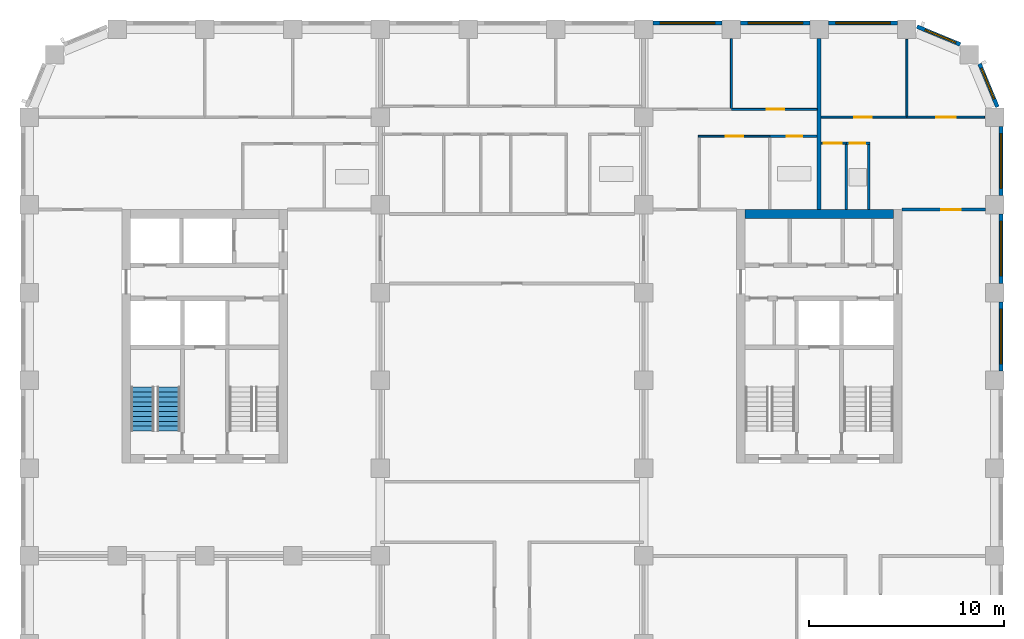
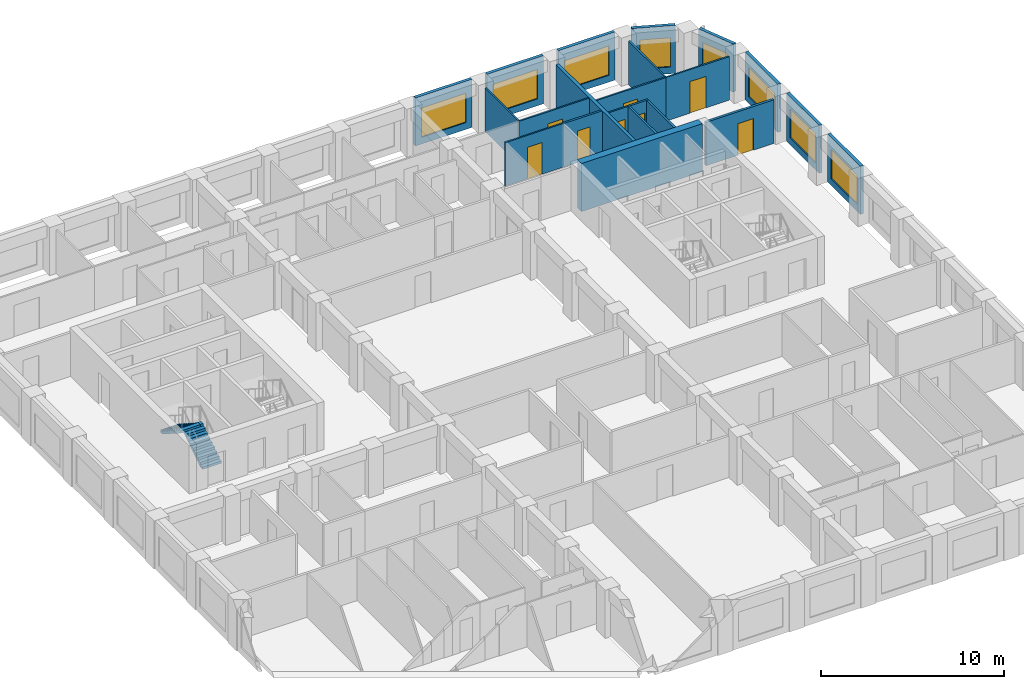
# One storey, part 9 of 13: 22 walls, 8 doors, 8 windows, 2 stair flights, 16 openings, 1 element without a shape of its own.
"""IFC4 building model written with IfcOpenShell, lengths in metres."""

from ifc_helpers import new_model, si_unit, direction, frame, frame_2d, origin, place, context, subcontext, project, spatial, polyline, rectangle, outline, extrude, material, layer, layer_set, type_object, element, fill, aggregate, save


model = new_model("IFC4")

# Units and contexts
model_context = context("Model", 3, precision=1e-05, world=origin(), true_north=direction((0.0, 1.0)))
body_context = subcontext(model_context, "Body", "Model", "MODEL_VIEW")
ifc_project = project(units=[si_unit("LENGTHUNIT", "METRE"), si_unit("AREAUNIT", "SQUARE_METRE"), si_unit("VOLUMEUNIT", "CUBIC_METRE"), si_unit("PLANEANGLEUNIT", "RADIAN"), si_unit("MASSUNIT", "GRAM", prefix="KILO")], contexts=[model_context])

# Site, building, storey
site_placement = place(None, origin())
site = spatial("IfcSite", under=ifc_project, at=site_placement, CompositionType="ELEMENT")
building_placement = place(site_placement, origin())
building = spatial("IfcBuilding", under=site, at=building_placement, Name="Girih Gate Residences", CompositionType="ELEMENT")
storey_placement = place(building_placement, frame((0.0, 0.0, 136.60009765625)))
storey = spatial("IfcBuildingStorey", under=building, at=storey_placement, Name="L38", CompositionType="ELEMENT", Elevation=136.60009765625)

# Wall, opening, door
ifc_material_1 = material(Name="Gypsum board on steel studs", Category="steel")
ifc_layer_1 = layer(ifc_material_1, 0.14990234375)
ifc_layer_set_1 = layer_set([ifc_layer_1], Name="Compartment wall 150 mm")
wall_type_1 = type_object("IfcWallType", Name="Compartment wall 150 mm", PredefinedType="PARTITIONING", material=ifc_layer_set_1)
wall_1_placement = place(storey_placement, frame((44.75, 40.25, 0.0), z_axis=(0.0, 0.0, 1.0), x_axis=(1.0, 0.0, 0.0)))
wall_1 = element("IfcWall", 1, at=wall_1_placement, inside=storey, type_object=wall_type_1, Name="L38 partition", PredefinedType="PARTITIONING", context=body_context, shape_type="SweptSolid", body=[
    extrude(rectangle(XDim=4.27490234375, YDim=0.14990234375, at=frame_2d((2.137451171875, 0.0))), origin(), (0.0, 0.0, 1.0), 2.89990234375),
])
opening_1_placement = place(wall_1_placement, frame((2.0, 0.0, 0.0)))
opening_1 = element("IfcOpeningElement", 2, at=opening_1_placement, cuts=wall_1, Name="Opening A38-031", PredefinedType="OPENING", context=body_context, shape_type="SweptSolid", body=[
    extrude(rectangle(XDim=1.0, YDim=2.10009765625, at=frame_2d((0.5, 1.050048828125))), frame((0.0, 0.0849609375, 0.0), z_axis=(0.0, -1.0, 0.0), x_axis=(1.0, 0.0, 0.0)), (0.0, 0.0, 1.0), 0.169921875),
])
ifc_material_2 = material(Name="Timber, fire-rated core", Category="wood")
door_type_1 = type_object("IfcDoorType", Name="Flat entrance door 1000x2100 FD30S", OperationType="NOTDEFINED", PredefinedType="DOOR", material=ifc_material_2)
door_1_placement = place(opening_1_placement, origin())
door_1 = element("IfcDoor", 3, at=door_1_placement, inside=storey, type_object=door_type_1, Name="Door A38-031", OperationType="SINGLE_SWING_RIGHT", OverallHeight=2.10009765625, OverallWidth=1.0, PredefinedType="DOOR", context=body_context, shape_type="SweptSolid", body=[
    extrude(rectangle(XDim=1.0, YDim=2.10009765625, at=frame_2d((0.5, 1.050048828125))), frame((0.0, 0.02490234375, 0.0), z_axis=(0.0, -1.0, 0.0), x_axis=(1.0, 0.0, 0.0)), (0.0, 0.0, 1.0), 0.050048828125),
])
fill(opening_1, door_1)

# Wall
ifc_material_3 = material(Name="Concrete C60/75", Category="concrete")
ifc_layer_2 = layer(ifc_material_3, 0.449951171875)
ifc_layer_set_2 = layer_set([ifc_layer_2], Name="Core wall RC 450 Concrete C60/75")
wall_type_2 = type_object("IfcWallType", Name="Core wall RC 450 Concrete C60/75", PredefinedType="SOLIDWALL", material=ifc_layer_set_2)
wall_2_placement = place(storey_placement, frame((36.699951171875, 40.02490234375, 0.0), z_axis=(0.0, 0.0, 1.0), x_axis=(1.0, 0.0, 0.0)))
element("IfcWall", 4, at=wall_2_placement, inside=storey, type_object=wall_type_2, Name="Core wall E-N L38", PredefinedType="SOLIDWALL", context=body_context, shape_type="SweptSolid", body=[
    extrude(rectangle(XDim=7.60009765625, YDim=0.449951171875, at=frame_2d((3.800048828125, 0.0))), origin(), (0.0, 0.0, 1.0), 3.199951171875),
])

# Wall, opening, door
ifc_layer_3 = layer(ifc_material_1, 0.10009765625)
ifc_layer_set_3 = layer_set([ifc_layer_3], Name="Partition 100 mm")
wall_type_3 = type_object("IfcWallType", Name="Partition 100 mm", PredefinedType="PARTITIONING", material=ifc_layer_set_3)
wall_3_placement = place(storey_placement, frame((40.60009765625, 45.0, 0.0), z_axis=(0.0, 0.0, 1.0), x_axis=(1.0, 0.0, 0.0)))
wall_3 = element("IfcWall", 5, at=wall_3_placement, inside=storey, type_object=wall_type_3, Name="L38 partition", PredefinedType="PARTITIONING", context=body_context, shape_type="SweptSolid", body=[
    extrude(rectangle(XDim=4.39990234375, YDim=0.10009765625, at=frame_2d((2.199951171875, 0.0))), origin(), (0.0, 0.0, 1.0), 2.89990234375),
])
opening_2_placement = place(wall_3_placement, frame((1.699951171875, 0.0, 0.0)))
opening_2 = element("IfcOpeningElement", 6, at=opening_2_placement, cuts=wall_3, Name="Opening A38-028", PredefinedType="OPENING", context=body_context, shape_type="SweptSolid", body=[
    extrude(rectangle(XDim=0.89990234375, YDim=2.10009765625, at=frame_2d((0.449951171875, 1.050048828125))), frame((0.0, 0.06005859375, 0.0), z_axis=(0.0, -1.0, 0.0), x_axis=(1.0, 0.0, 0.0)), (0.0, 0.0, 1.0), 0.1201171875),
])
ifc_material_4 = material(Name="Timber", Category="wood")
door_type_2 = type_object("IfcDoorType", Name="Bedroom door 900x2100", OperationType="NOTDEFINED", PredefinedType="DOOR", material=ifc_material_4)
door_2_placement = place(opening_2_placement, origin())
door_2 = element("IfcDoor", 7, at=door_2_placement, inside=storey, type_object=door_type_2, Name="Door A38-028", OperationType="SINGLE_SWING_LEFT", OverallHeight=2.10009765625, OverallWidth=0.89990234375, PredefinedType="DOOR", context=body_context, shape_type="SweptSolid", body=[
    extrude(rectangle(XDim=0.89990234375, YDim=2.10009765625, at=frame_2d((0.449951171875, 1.050048828125))), frame((0.0, 0.02490234375, 0.0), z_axis=(0.0, -1.0, 0.0), x_axis=(1.0, 0.0, 0.0)), (0.0, 0.0, 1.0), 0.050048828125),
])
fill(opening_2, door_2)

# Wall
wall_4_placement = place(storey_placement, frame((45.0, 45.050048828125, 0.0), z_axis=(0.0, 0.0, 1.0), x_axis=(0.0, 1.0, 0.0)))
element("IfcWall", 8, at=wall_4_placement, inside=storey, type_object=wall_type_3, Name="L38 partition", PredefinedType="PARTITIONING", context=body_context, shape_type="SweptSolid", body=[
    extrude(rectangle(XDim=3.935791015625, YDim=0.10009765625, at=frame_2d((1.9677734375, 0.0))), origin(), (0.0, 0.0, 1.0), 2.89990234375),
])

# Wall, opening, door
wall_5_placement = place(storey_placement, frame((41.890869140625, 43.659912109375, 0.0), z_axis=(0.0, 0.0, 1.0), x_axis=(-1.0, 0.0, 0.0)))
wall_5 = element("IfcWall", 9, at=wall_5_placement, inside=storey, type_object=wall_type_3, Name="L38 partition", PredefinedType="PARTITIONING", context=body_context, shape_type="SweptSolid", body=[
    extrude(rectangle(XDim=1.290771484375, YDim=0.10009765625, at=frame_2d((0.6455078125, 0.0))), origin(), (0.0, 0.0, 1.0), 2.89990234375),
])
opening_3_placement = place(wall_5_placement, frame((0.24560546875, 0.0, 0.0)))
opening_3 = element("IfcOpeningElement", 10, at=opening_3_placement, cuts=wall_5, Name="Opening A38-029", PredefinedType="OPENING", context=body_context, shape_type="SweptSolid", body=[
    extrude(rectangle(XDim=0.89990234375, YDim=2.10009765625, at=frame_2d((0.449951171875, 1.050048828125))), frame((0.0, 0.06005859375, 0.0), z_axis=(0.0, -1.0, 0.0), x_axis=(1.0, 0.0, 0.0)), (0.0, 0.0, 1.0), 0.1201171875),
])
door_type_3 = type_object("IfcDoorType", Name="Kitchen door 900x2100", OperationType="NOTDEFINED", PredefinedType="DOOR", material=ifc_material_4)
door_3_placement = place(opening_3_placement, origin())
door_3 = element("IfcDoor", 11, at=door_3_placement, inside=storey, type_object=door_type_3, Name="Door A38-029", OperationType="SINGLE_SWING_RIGHT", OverallHeight=2.10009765625, OverallWidth=0.89990234375, PredefinedType="DOOR", context=body_context, shape_type="SweptSolid", body=[
    extrude(rectangle(XDim=0.89990234375, YDim=2.10009765625, at=frame_2d((0.449951171875, 1.050048828125))), frame((0.0, 0.02490234375, 0.0), z_axis=(0.0, -1.0, 0.0), x_axis=(1.0, 0.0, 0.0)), (0.0, 0.0, 1.0), 0.050048828125),
])
fill(opening_3, door_3)

wall_6_placement = place(storey_placement, frame((45.0, 45.0, 0.0), z_axis=(0.0, 0.0, 1.0), x_axis=(1.0, 0.0, 0.0)))
wall_6 = element("IfcWall", 12, at=wall_6_placement, inside=storey, type_object=wall_type_3, Name="L38 partition", PredefinedType="PARTITIONING", context=body_context, shape_type="SweptSolid", body=[
    extrude(rectangle(XDim=3.98583984375, YDim=0.10009765625, at=frame_2d((1.992919921875, 0.0))), origin(), (0.0, 0.0, 1.0), 2.89990234375),
])
opening_4_placement = place(wall_6_placement, frame((1.512451171875, 0.0, 0.0)))
opening_4 = element("IfcOpeningElement", 13, at=opening_4_placement, cuts=wall_6, Name="Opening A38-030", PredefinedType="OPENING", context=body_context, shape_type="SweptSolid", body=[
    extrude(rectangle(XDim=1.0, YDim=2.10009765625, at=frame_2d((0.5, 1.050048828125))), frame((0.0, 0.06005859375, 0.0), z_axis=(0.0, -1.0, 0.0), x_axis=(1.0, 0.0, 0.0)), (0.0, 0.0, 1.0), 0.1201171875),
])
door_type_4 = type_object("IfcDoorType", Name="Living room door 1000x2100", OperationType="NOTDEFINED", PredefinedType="DOOR", material=ifc_material_4)
door_4_placement = place(opening_4_placement, origin())
door_4 = element("IfcDoor", 14, at=door_4_placement, inside=storey, type_object=door_type_4, Name="Door A38-030", OperationType="SINGLE_SWING_RIGHT", OverallHeight=2.10009765625, OverallWidth=1.0, PredefinedType="DOOR", context=body_context, shape_type="SweptSolid", body=[
    extrude(rectangle(XDim=1.0, YDim=2.10009765625, at=frame_2d((0.5, 1.050048828125))), frame((0.0, 0.02490234375, 0.0), z_axis=(0.0, -1.0, 0.0), x_axis=(1.0, 0.0, 0.0)), (0.0, 0.0, 1.0), 0.050048828125),
])
fill(opening_4, door_4)

wall_7_placement = place(storey_placement, frame((36.0, 45.39501953125, 0.0), z_axis=(0.0, 0.0, 1.0), x_axis=(1.0, 0.0, 0.0)))
wall_7 = element("IfcWall", 15, at=wall_7_placement, inside=storey, type_object=wall_type_3, Name="L38 partition", PredefinedType="PARTITIONING", context=body_context, shape_type="SweptSolid", body=[
    extrude(rectangle(XDim=4.39990234375, YDim=0.10009765625, at=frame_2d((2.199951171875, 0.0))), origin(), (0.0, 0.0, 1.0), 2.89990234375),
])
opening_5_placement = place(wall_7_placement, frame((1.800048828125, 0.0, 0.0)))
opening_5 = element("IfcOpeningElement", 16, at=opening_5_placement, cuts=wall_7, Name="Opening A38-033", PredefinedType="OPENING", context=body_context, shape_type="SweptSolid", body=[
    extrude(rectangle(XDim=0.89990234375, YDim=2.10009765625, at=frame_2d((0.449951171875, 1.050048828125))), frame((0.0, 0.06005859375, 0.0), z_axis=(0.0, -1.0, 0.0), x_axis=(1.0, 0.0, 0.0)), (0.0, 0.0, 1.0), 0.1201171875),
])
door_5_placement = place(opening_5_placement, origin())
door_5 = element("IfcDoor", 17, at=door_5_placement, inside=storey, type_object=door_type_2, Name="Door A38-033", OperationType="SINGLE_SWING_RIGHT", OverallHeight=2.10009765625, OverallWidth=0.89990234375, PredefinedType="DOOR", context=body_context, shape_type="SweptSolid", body=[
    extrude(rectangle(XDim=0.89990234375, YDim=2.10009765625, at=frame_2d((0.449951171875, 1.050048828125))), frame((0.0, 0.02490234375, 0.0), z_axis=(0.0, -1.0, 0.0), x_axis=(1.0, 0.0, 0.0)), (0.0, 0.0, 1.0), 0.050048828125),
])
fill(opening_5, door_5)

# Wall
wall_8_placement = place(storey_placement, frame((36.0, 45.445068359375, 0.0), z_axis=(0.0, 0.0, 1.0), x_axis=(0.0, 1.0, 0.0)))
element("IfcWall", 18, at=wall_8_placement, inside=storey, type_object=wall_type_3, Name="L38 partition", PredefinedType="PARTITIONING", context=body_context, shape_type="SweptSolid", body=[
    extrude(rectangle(XDim=3.579833984375, YDim=0.10009765625, at=frame_2d((1.7900390625, 0.0))), origin(), (0.0, 0.0, 1.0), 2.89990234375),
])

# Wall, opening, door
wall_9_placement = place(storey_placement, frame((37.97265625, 44.014892578125, 0.0), z_axis=(0.0, 0.0, 1.0), x_axis=(-1.0, 0.0, 0.0)))
wall_9 = element("IfcWall", 19, at=wall_9_placement, inside=storey, type_object=wall_type_3, Name="L38 partition", PredefinedType="PARTITIONING", context=body_context, shape_type="SweptSolid", body=[
    extrude(rectangle(XDim=3.672607421875, YDim=0.10009765625, at=frame_2d((1.83642578125, 0.0))), origin(), (0.0, 0.0, 1.0), 2.89990234375),
])
opening_6_placement = place(wall_9_placement, frame((1.361328125, 0.0, 0.0)))
opening_6 = element("IfcOpeningElement", 20, at=opening_6_placement, cuts=wall_9, Name="Opening A38-034", PredefinedType="OPENING", context=body_context, shape_type="SweptSolid", body=[
    extrude(rectangle(XDim=0.89990234375, YDim=2.10009765625, at=frame_2d((0.449951171875, 1.050048828125))), frame((0.0, 0.06005859375, 0.0), z_axis=(0.0, -1.0, 0.0), x_axis=(1.0, 0.0, 0.0)), (0.0, 0.0, 1.0), 0.1201171875),
])
door_6_placement = place(opening_6_placement, origin())
door_6 = element("IfcDoor", 21, at=door_6_placement, inside=storey, type_object=door_type_3, Name="Door A38-034", OperationType="SINGLE_SWING_LEFT", OverallHeight=2.10009765625, OverallWidth=0.89990234375, PredefinedType="DOOR", context=body_context, shape_type="SweptSolid", body=[
    extrude(rectangle(XDim=0.89990234375, YDim=2.10009765625, at=frame_2d((0.449951171875, 1.050048828125))), frame((0.0, 0.02490234375, 0.0), z_axis=(0.0, -1.0, 0.0), x_axis=(1.0, 0.0, 0.0)), (0.0, 0.0, 1.0), 0.050048828125),
])
fill(opening_6, door_6)

# Wall
ifc_layer_4 = layer(ifc_material_1, 0.199951171875)
ifc_layer_set_4 = layer_set([ifc_layer_4], Name="Party wall 200 mm")
wall_type_4 = type_object("IfcWallType", Name="Party wall 200 mm", PredefinedType="PARTITIONING", material=ifc_layer_set_4)
wall_10_placement = place(storey_placement, frame((40.5, 40.25, 0.0), z_axis=(0.0, 0.0, 1.0), x_axis=(0.0, 1.0, 0.0)))
element("IfcWall", 22, at=wall_10_placement, inside=storey, type_object=wall_type_4, Name="L38 partition", PredefinedType="PARTITIONING", context=body_context, shape_type="SweptSolid", body=[
    extrude(rectangle(XDim=8.77490234375, YDim=0.199951171875, at=frame_2d((4.387451171875, 0.0))), origin(), (0.0, 0.0, 1.0), 2.89990234375),
])

# Wall, opening, window
ifc_material_5 = material(Name="Precast concrete C50/60", Category="concrete")
ifc_layer_5 = layer(ifc_material_5, 0.06005859375, Name="Outer leaf")
ifc_material_6 = material(Name="Rigid PIR insulation")
ifc_layer_6 = layer(ifc_material_6, 0.090087890625, Name="Insulation")
ifc_material_7 = material(Name="Precast concrete C40/50", Category="concrete")
ifc_layer_7 = layer(ifc_material_7, 0.050048828125, Name="Inner leaf")
ifc_layer_set_5 = layer_set([ifc_layer_5, ifc_layer_6, ifc_layer_7], Name="Precast concrete C50/60 external wall 200")
wall_type_5 = type_object("IfcWallType", Name="Precast concrete C50/60 external wall 200", PredefinedType="SOLIDWALL", material=ifc_layer_set_5)
wall_11_placement = place(storey_placement, frame((49.824951171875, 35.52490234375, 0.0), z_axis=(0.0, 0.0, 1.0), x_axis=(0.0, -1.0, 0.0)))
wall_11 = element("IfcWall", 23, at=wall_11_placement, inside=storey, type_object=wall_type_5, Name="External wall E0495_0045.6", PredefinedType="SOLIDWALL", context=body_context, shape_type="SweptSolid", body=[
    extrude(rectangle(XDim=3.5498046875, YDim=0.199951171875, at=frame_2d((1.77490234375, 0.0))), origin(), (0.0, 0.0, 1.0), 3.199951171875),
])
opening_7_placement = place(wall_11_placement, frame((0.375, 0.0, 0.449951171875)))
opening_7 = element("IfcOpeningElement", 24, at=opening_7_placement, cuts=wall_11, Name="Opening W-1B", PredefinedType="OPENING", context=body_context, shape_type="SweptSolid", body=[
    extrude(rectangle(XDim=2.800048828125, YDim=1.949951171875, at=frame_2d((1.39990234375, 0.97509765625))), frame((0.0, 0.10986328125, 0.0), z_axis=(0.0, -1.0, 0.0), x_axis=(1.0, 0.0, 0.0)), (0.0, 0.0, 1.0), 0.219970703125),
])
ifc_material_8 = material(Name="Double glazing in aluminium frame", Category="aluminium")
window_type_1 = type_object("IfcWindowType", Name="Window W-1B 2800x1950", PartitioningType="SINGLE_PANEL", PredefinedType="WINDOW", material=ifc_material_8)
window_1_placement = place(opening_7_placement, origin())
window_1 = element("IfcWindow", 25, at=window_1_placement, inside=storey, type_object=window_type_1, Name="Window W-1B E0495_0045.6", OverallHeight=1.949951171875, OverallWidth=2.800048828125, PartitioningType="SINGLE_PANEL", PredefinedType="WINDOW", context=body_context, shape_type="SweptSolid", body=[
    extrude(rectangle(XDim=2.800048828125, YDim=1.949951171875, at=frame_2d((1.39990234375, 0.97509765625))), frame((0.0, 0.030029296875, 0.0), z_axis=(0.0, -1.0, 0.0), x_axis=(1.0, 0.0, 0.0)), (0.0, 0.0, 1.0), 0.06005859375),
])
fill(opening_7, window_1)

wall_12_placement = place(storey_placement, frame((49.824951171875, 40.02490234375, 0.0), z_axis=(0.0, 0.0, 1.0), x_axis=(0.0, -1.0, 0.0)))
wall_12 = element("IfcWall", 26, at=wall_12_placement, inside=storey, type_object=wall_type_5, Name="External wall E0495_0045.7", PredefinedType="SOLIDWALL", context=body_context, shape_type="SweptSolid", body=[
    extrude(rectangle(XDim=3.5498046875, YDim=0.199951171875, at=frame_2d((1.77490234375, 0.0))), origin(), (0.0, 0.0, 1.0), 3.199951171875),
])
opening_8_placement = place(wall_12_placement, frame((0.375, 0.0, 0.449951171875)))
opening_8 = element("IfcOpeningElement", 27, at=opening_8_placement, cuts=wall_12, Name="Opening W-1B", PredefinedType="OPENING", context=body_context, shape_type="SweptSolid", body=[
    extrude(rectangle(XDim=2.800048828125, YDim=1.949951171875, at=frame_2d((1.39990234375, 0.97509765625))), frame((0.0, 0.10986328125, 0.0), z_axis=(0.0, -1.0, 0.0), x_axis=(1.0, 0.0, 0.0)), (0.0, 0.0, 1.0), 0.219970703125),
])
window_2_placement = place(opening_8_placement, origin())
window_2 = element("IfcWindow", 28, at=window_2_placement, inside=storey, type_object=window_type_1, Name="Window W-1B E0495_0045.7", OverallHeight=1.949951171875, OverallWidth=2.800048828125, PartitioningType="SINGLE_PANEL", PredefinedType="WINDOW", context=body_context, shape_type="SweptSolid", body=[
    extrude(rectangle(XDim=2.800048828125, YDim=1.949951171875, at=frame_2d((1.39990234375, 0.97509765625))), frame((0.0, 0.030029296875, 0.0), z_axis=(0.0, -1.0, 0.0), x_axis=(1.0, 0.0, 0.0)), (0.0, 0.0, 1.0), 0.06005859375),
])
fill(opening_8, window_2)

wall_13_placement = place(storey_placement, frame((49.824951171875, 44.52490234375, 0.0), z_axis=(0.0, 0.0, 1.0), x_axis=(0.0, -1.0, 0.0)))
wall_13 = element("IfcWall", 29, at=wall_13_placement, inside=storey, type_object=wall_type_5, Name="External wall E0495_0045.8", PredefinedType="SOLIDWALL", context=body_context, shape_type="SweptSolid", body=[
    extrude(rectangle(XDim=3.5498046875, YDim=0.199951171875, at=frame_2d((1.77490234375, 0.0))), origin(), (0.0, 0.0, 1.0), 3.199951171875),
])
opening_9_placement = place(wall_13_placement, frame((0.375, 0.0, 0.449951171875)))
opening_9 = element("IfcOpeningElement", 30, at=opening_9_placement, cuts=wall_13, Name="Opening W-1B", PredefinedType="OPENING", context=body_context, shape_type="SweptSolid", body=[
    extrude(rectangle(XDim=2.800048828125, YDim=1.949951171875, at=frame_2d((1.39990234375, 0.97509765625))), frame((0.0, 0.10986328125, 0.0), z_axis=(0.0, -1.0, 0.0), x_axis=(1.0, 0.0, 0.0)), (0.0, 0.0, 1.0), 0.219970703125),
])
window_3_placement = place(opening_9_placement, origin())
window_3 = element("IfcWindow", 31, at=window_3_placement, inside=storey, type_object=window_type_1, Name="Window W-1B E0495_0045.8", OverallHeight=1.949951171875, OverallWidth=2.800048828125, PartitioningType="SINGLE_PANEL", PredefinedType="WINDOW", context=body_context, shape_type="SweptSolid", body=[
    extrude(rectangle(XDim=2.800048828125, YDim=1.949951171875, at=frame_2d((1.39990234375, 0.97509765625))), frame((0.0, 0.030029296875, 0.0), z_axis=(0.0, -1.0, 0.0), x_axis=(1.0, 0.0, 0.0)), (0.0, 0.0, 1.0), 0.06005859375),
])
fill(opening_9, window_3)

wall_14_placement = place(storey_placement, frame((48.7197265625, 47.73291015625, 0.0), z_axis=(0.0, 0.0, 1.0), x_axis=(0.382680855588, -0.923880599843, 0.0)))
wall_14 = element("IfcWall", 32, at=wall_14_placement, inside=storey, type_object=wall_type_5, Name="External wall NE0495_0450.0", PredefinedType="SOLIDWALL", context=body_context, shape_type="SweptSolid", body=[
    extrude(rectangle(XDim=2.402587890625, YDim=0.199951171875, at=frame_2d((1.201171875, 0.0))), origin(), (0.0, 0.0, 1.0), 3.199951171875),
])
opening_10_placement = place(wall_14_placement, frame((0.25146484375, 0.0, 0.449951171875)))
opening_10 = element("IfcOpeningElement", 33, at=opening_10_placement, cuts=wall_14, Name="Opening W-2E", PredefinedType="OPENING", context=body_context, shape_type="SweptSolid", body=[
    extrude(rectangle(XDim=1.699951171875, YDim=1.949951171875, at=frame_2d((0.85009765625, 0.97509765625))), frame((0.0, 0.10986328125, 0.0), z_axis=(0.0, -1.0, 0.0), x_axis=(1.0, 0.0, 0.0)), (0.0, 0.0, 1.0), 0.219970703125),
])
window_type_2 = type_object("IfcWindowType", Name="Window W-2E 1700x1950", PartitioningType="SINGLE_PANEL", PredefinedType="WINDOW", material=ifc_material_8)
window_4_placement = place(opening_10_placement, origin())
window_4 = element("IfcWindow", 34, at=window_4_placement, inside=storey, type_object=window_type_2, Name="Window W-2E NE0495_0450.0", OverallHeight=1.949951171875, OverallWidth=1.699951171875, PartitioningType="SINGLE_PANEL", PredefinedType="WINDOW", context=body_context, shape_type="SweptSolid", body=[
    extrude(rectangle(XDim=1.699951171875, YDim=1.949951171875, at=frame_2d((0.85009765625, 0.97509765625))), frame((0.0, 0.030029296875, 0.0), z_axis=(0.0, -1.0, 0.0), x_axis=(1.0, 0.0, 0.0)), (0.0, 0.0, 1.0), 0.06005859375),
])
fill(opening_10, window_4)

wall_15_placement = place(storey_placement, frame((45.51318359375, 49.63916015625, 0.0), z_axis=(0.0, 0.0, 1.0), x_axis=(0.923880599843, -0.382680855588, 0.0)))
wall_15 = element("IfcWall", 35, at=wall_15_placement, inside=storey, type_object=wall_type_5, Name="External wall NE0482_0482.0", PredefinedType="SOLIDWALL", context=body_context, shape_type="SweptSolid", body=[
    extrude(rectangle(XDim=2.402587890625, YDim=0.199951171875, at=frame_2d((1.201171875, 0.0))), origin(), (0.0, 0.0, 1.0), 3.199951171875),
])
opening_11_placement = place(wall_15_placement, frame((0.451171875, 0.0, 0.449951171875)))
opening_11 = element("IfcOpeningElement", 36, at=opening_11_placement, cuts=wall_15, Name="Opening W-2E", PredefinedType="OPENING", context=body_context, shape_type="SweptSolid", body=[
    extrude(rectangle(XDim=1.699951171875, YDim=1.949951171875, at=frame_2d((0.85009765625, 0.97509765625))), frame((0.0, 0.10986328125, 0.0), z_axis=(0.0, -1.0, 0.0), x_axis=(1.0, 0.0, 0.0)), (0.0, 0.0, 1.0), 0.219970703125),
])
window_5_placement = place(opening_11_placement, origin())
window_5 = element("IfcWindow", 37, at=window_5_placement, inside=storey, type_object=window_type_2, Name="Window W-2E NE0482_0482.0", OverallHeight=1.949951171875, OverallWidth=1.699951171875, PartitioningType="SINGLE_PANEL", PredefinedType="WINDOW", context=body_context, shape_type="SweptSolid", body=[
    extrude(rectangle(XDim=1.699951171875, YDim=1.949951171875, at=frame_2d((0.85009765625, 0.97509765625))), frame((0.0, 0.030029296875, 0.0), z_axis=(0.0, -1.0, 0.0), x_axis=(1.0, 0.0, 0.0)), (0.0, 0.0, 1.0), 0.06005859375),
])
fill(opening_11, window_5)

wall_16_placement = place(storey_placement, frame((40.97509765625, 49.824951171875, 0.0), z_axis=(0.0, 0.0, 1.0), x_axis=(1.0, 0.0, 0.0)))
wall_16 = element("IfcWall", 38, at=wall_16_placement, inside=storey, type_object=wall_type_5, Name="External wall N0450_0495.0", PredefinedType="SOLIDWALL", context=body_context, shape_type="SweptSolid", body=[
    extrude(rectangle(XDim=3.5498046875, YDim=0.199951171875, at=frame_2d((1.77490234375, 0.0))), origin(), (0.0, 0.0, 1.0), 3.199951171875),
])
opening_12_placement = place(wall_16_placement, frame((0.375, 0.0, 0.449951171875)))
opening_12 = element("IfcOpeningElement", 39, at=opening_12_placement, cuts=wall_16, Name="Opening W-1B", PredefinedType="OPENING", context=body_context, shape_type="SweptSolid", body=[
    extrude(rectangle(XDim=2.800048828125, YDim=1.949951171875, at=frame_2d((1.39990234375, 0.97509765625))), frame((0.0, 0.10986328125, 0.0), z_axis=(0.0, -1.0, 0.0), x_axis=(1.0, 0.0, 0.0)), (0.0, 0.0, 1.0), 0.219970703125),
])
window_6_placement = place(opening_12_placement, origin())
window_6 = element("IfcWindow", 40, at=window_6_placement, inside=storey, type_object=window_type_1, Name="Window W-1B N0450_0495.0", OverallHeight=1.949951171875, OverallWidth=2.800048828125, PartitioningType="SINGLE_PANEL", PredefinedType="WINDOW", context=body_context, shape_type="SweptSolid", body=[
    extrude(rectangle(XDim=2.800048828125, YDim=1.949951171875, at=frame_2d((1.39990234375, 0.97509765625))), frame((0.0, 0.030029296875, 0.0), z_axis=(0.0, -1.0, 0.0), x_axis=(1.0, 0.0, 0.0)), (0.0, 0.0, 1.0), 0.06005859375),
])
fill(opening_12, window_6)

wall_17_placement = place(storey_placement, frame((36.47509765625, 49.824951171875, 0.0), z_axis=(0.0, 0.0, 1.0), x_axis=(1.0, 0.0, 0.0)))
wall_17 = element("IfcWall", 41, at=wall_17_placement, inside=storey, type_object=wall_type_5, Name="External wall N0450_0495.1", PredefinedType="SOLIDWALL", context=body_context, shape_type="SweptSolid", body=[
    extrude(rectangle(XDim=3.5498046875, YDim=0.199951171875, at=frame_2d((1.77490234375, 0.0))), origin(), (0.0, 0.0, 1.0), 3.199951171875),
])
opening_13_placement = place(wall_17_placement, frame((0.375, 0.0, 0.449951171875)))
opening_13 = element("IfcOpeningElement", 42, at=opening_13_placement, cuts=wall_17, Name="Opening W-1B", PredefinedType="OPENING", context=body_context, shape_type="SweptSolid", body=[
    extrude(rectangle(XDim=2.800048828125, YDim=1.949951171875, at=frame_2d((1.39990234375, 0.97509765625))), frame((0.0, 0.10986328125, 0.0), z_axis=(0.0, -1.0, 0.0), x_axis=(1.0, 0.0, 0.0)), (0.0, 0.0, 1.0), 0.219970703125),
])
window_7_placement = place(opening_13_placement, origin())
window_7 = element("IfcWindow", 43, at=window_7_placement, inside=storey, type_object=window_type_1, Name="Window W-1B N0450_0495.1", OverallHeight=1.949951171875, OverallWidth=2.800048828125, PartitioningType="SINGLE_PANEL", PredefinedType="WINDOW", context=body_context, shape_type="SweptSolid", body=[
    extrude(rectangle(XDim=2.800048828125, YDim=1.949951171875, at=frame_2d((1.39990234375, 0.97509765625))), frame((0.0, 0.030029296875, 0.0), z_axis=(0.0, -1.0, 0.0), x_axis=(1.0, 0.0, 0.0)), (0.0, 0.0, 1.0), 0.06005859375),
])
fill(opening_13, window_7)

wall_18_placement = place(storey_placement, frame((31.97509765625, 49.824951171875, 0.0), z_axis=(0.0, 0.0, 1.0), x_axis=(1.0, 0.0, 0.0)))
wall_18 = element("IfcWall", 44, at=wall_18_placement, inside=storey, type_object=wall_type_5, Name="External wall N0450_0495.2", PredefinedType="SOLIDWALL", context=body_context, shape_type="SweptSolid", body=[
    extrude(rectangle(XDim=3.5498046875, YDim=0.199951171875, at=frame_2d((1.77490234375, 0.0))), origin(), (0.0, 0.0, 1.0), 3.199951171875),
])
opening_14_placement = place(wall_18_placement, frame((0.375, 0.0, 0.449951171875)))
opening_14 = element("IfcOpeningElement", 45, at=opening_14_placement, cuts=wall_18, Name="Opening W-1B", PredefinedType="OPENING", context=body_context, shape_type="SweptSolid", body=[
    extrude(rectangle(XDim=2.800048828125, YDim=1.949951171875, at=frame_2d((1.39990234375, 0.97509765625))), frame((0.0, 0.10986328125, 0.0), z_axis=(0.0, -1.0, 0.0), x_axis=(1.0, 0.0, 0.0)), (0.0, 0.0, 1.0), 0.219970703125),
])
window_8_placement = place(opening_14_placement, origin())
window_8 = element("IfcWindow", 46, at=window_8_placement, inside=storey, type_object=window_type_1, Name="Window W-1B N0450_0495.2", OverallHeight=1.949951171875, OverallWidth=2.800048828125, PartitioningType="SINGLE_PANEL", PredefinedType="WINDOW", context=body_context, shape_type="SweptSolid", body=[
    extrude(rectangle(XDim=2.800048828125, YDim=1.949951171875, at=frame_2d((1.39990234375, 0.97509765625))), frame((0.0, 0.030029296875, 0.0), z_axis=(0.0, -1.0, 0.0), x_axis=(1.0, 0.0, 0.0)), (0.0, 0.0, 1.0), 0.06005859375),
])
fill(opening_14, window_8)

# Wall, opening, door
ifc_layer_8 = layer(ifc_material_1, 0.125)
ifc_layer_set_6 = layer_set([ifc_layer_8], Name="Wet room wall 125 mm")
wall_type_6 = type_object("IfcWallType", Name="Wet room wall 125 mm", PredefinedType="PARTITIONING", material=ifc_layer_set_6)
wall_19_placement = place(storey_placement, frame((43.112548828125, 43.659912109375, 0.0), z_axis=(0.0, 0.0, 1.0), x_axis=(-1.0, 0.0, 0.0)))
wall_19 = element("IfcWall", 47, at=wall_19_placement, inside=storey, type_object=wall_type_6, Name="L38 partition", PredefinedType="PARTITIONING", context=body_context, shape_type="SweptSolid", body=[
    extrude(rectangle(XDim=1.2216796875, YDim=0.125, at=frame_2d((0.61083984375, 0.0))), origin(), (0.0, 0.0, 1.0), 2.89990234375),
])
opening_15_placement = place(wall_19_placement, frame((0.241943359375, 0.0, 0.0)))
opening_15 = element("IfcOpeningElement", 48, at=opening_15_placement, cuts=wall_19, Name="Opening A38-027", PredefinedType="OPENING", context=body_context, shape_type="SweptSolid", body=[
    extrude(rectangle(XDim=0.800048828125, YDim=2.10009765625, at=frame_2d((0.39990234375, 1.050048828125))), frame((0.0, 0.072509765625, 0.0), z_axis=(0.0, -1.0, 0.0), x_axis=(1.0, 0.0, 0.0)), (0.0, 0.0, 1.0), 0.14501953125),
])
door_type_5 = type_object("IfcDoorType", Name="Bathroom door 800x2100", OperationType="NOTDEFINED", PredefinedType="DOOR", material=ifc_material_4)
door_7_placement = place(opening_15_placement, origin())
door_7 = element("IfcDoor", 49, at=door_7_placement, inside=storey, type_object=door_type_5, Name="Door A38-027", OperationType="SINGLE_SWING_RIGHT", OverallHeight=2.10009765625, OverallWidth=0.800048828125, PredefinedType="DOOR", context=body_context, shape_type="SweptSolid", body=[
    extrude(rectangle(XDim=0.800048828125, YDim=2.10009765625, at=frame_2d((0.39990234375, 1.050048828125))), frame((0.0, 0.02490234375, 0.0), z_axis=(0.0, -1.0, 0.0), x_axis=(1.0, 0.0, 0.0)), (0.0, 0.0, 1.0), 0.050048828125),
])
fill(opening_15, door_7)

# Walls
for number, where, z_axis, x_axis, name in (
    (50, (43.050048828125, 40.25, 0.0), (0.0, 0.0, 1.0), (0.0, 1.0, 0.0), "L38 partition"),
    (51, (41.89111328125, 40.25, 0.0), (0.0, 0.0, 1.0), (0.0, 1.0, 0.0), "L38 partition"),
):
    element("IfcWall", number, at=place(storey_placement, frame(where, z_axis=z_axis, x_axis=x_axis)), inside=storey, type_object=wall_type_6, Name=name, PredefinedType="PARTITIONING", context=body_context, shape_type="SweptSolid", body=[
        extrude(rectangle(XDim=3.347412109375, YDim=0.125, at=frame_2d((1.673828125, 0.0))), origin(), (0.0, 0.0, 1.0), 2.89990234375),
    ])

# Wall, opening, door
wall_20_placement = place(storey_placement, frame((40.39990234375, 44.014892578125, 0.0), z_axis=(0.0, 0.0, 1.0), x_axis=(-1.0, 0.0, 0.0)))
wall_20 = element("IfcWall", 52, at=wall_20_placement, inside=storey, type_object=wall_type_6, Name="L38 partition", PredefinedType="PARTITIONING", context=body_context, shape_type="SweptSolid", body=[
    extrude(rectangle(XDim=2.42724609375, YDim=0.125, at=frame_2d((1.213623046875, 0.0))), origin(), (0.0, 0.0, 1.0), 2.89990234375),
])
opening_16_placement = place(wall_20_placement, frame((0.763671875, 0.0, 0.0)))
opening_16 = element("IfcOpeningElement", 53, at=opening_16_placement, cuts=wall_20, Name="Opening A38-032", PredefinedType="OPENING", context=body_context, shape_type="SweptSolid", body=[
    extrude(rectangle(XDim=0.800048828125, YDim=2.10009765625, at=frame_2d((0.39990234375, 1.050048828125))), frame((0.0, 0.072509765625, 0.0), z_axis=(0.0, -1.0, 0.0), x_axis=(1.0, 0.0, 0.0)), (0.0, 0.0, 1.0), 0.14501953125),
])
door_8_placement = place(opening_16_placement, origin())
door_8 = element("IfcDoor", 54, at=door_8_placement, inside=storey, type_object=door_type_5, Name="Door A38-032", OperationType="SINGLE_SWING_LEFT", OverallHeight=2.10009765625, OverallWidth=0.800048828125, PredefinedType="DOOR", context=body_context, shape_type="SweptSolid", body=[
    extrude(rectangle(XDim=0.800048828125, YDim=2.10009765625, at=frame_2d((0.39990234375, 1.050048828125))), frame((0.0, 0.02490234375, 0.0), z_axis=(0.0, -1.0, 0.0), x_axis=(1.0, 0.0, 0.0)), (0.0, 0.0, 1.0), 0.050048828125),
])
fill(opening_16, door_8)

# Stair, stair flights
ifc_material_9 = material(Name="Concrete C40/50", Category="concrete")
stair_type = type_object("IfcStairType", Name="Exit stair", PredefinedType="HALF_TURN_STAIR", material=ifc_material_9)
stair_placement = place(storey_placement, origin())
stair = element("IfcStair", 55, at=stair_placement, inside=storey, type_object=stair_type, Name="L38 Exit Stair ST-W1", PredefinedType="HALF_TURN_STAIR")
stair_flight_type = type_object("IfcStairFlightType", Name="Stair flight 1200", PredefinedType="STRAIGHT", material=ifc_material_9)
stair_flight_1_placement = place(storey_placement, frame((7.14990234375, 28.89990234375, 0.0), z_axis=(0.0, 0.0, 1.0), x_axis=(0.0, 1.0, 0.0)))
stair_flight_1 = element("IfcStairFlight", 56, at=stair_flight_1_placement, type_object=stair_flight_type, Name="ST-W1 flight 1", NumberOfRisers=10, NumberOfTreads=9, PredefinedType="STRAIGHT", RiserHeight=0.16, TreadLength=0.25, context=body_context, shape_type="SweptSolid", body=[
    extrude(outline(polyline([(0.0, 0.0), (0.0, 0.159912109375), (0.25, 0.159912109375), (0.25, 0.320068359375), (0.5, 0.320068359375), (0.5, 0.47998046875), (0.75, 0.47998046875), (0.75, 0.639892578125), (1.0, 0.639892578125), (1.0, 0.800048828125), (1.25, 0.800048828125), (1.25, 0.9599609375), (1.5, 0.9599609375), (1.5, 1.1201171875), (1.75, 1.1201171875), (1.75, 1.280029296875), (2.0, 1.280029296875), (2.0, 1.43994140625), (2.25, 1.43994140625), (2.25, 1.60009765625), (2.25, 1.29736328125), (0.222900390625, 0.0), (0.0, 0.0)])), frame((0.0, 0.60009765625, 0.0), z_axis=(0.0, -1.0, 0.0), x_axis=(1.0, 0.0, 0.0)), (0.0, 0.0, 1.0), 1.199951171875),
])
stair_flight_2_placement = place(storey_placement, frame((5.800048828125, 31.14990234375, 1.599853515625), z_axis=(0.0, 0.0, 1.0), x_axis=(0.0, -1.0, 0.0)))
stair_flight_2 = element("IfcStairFlight", 57, at=stair_flight_2_placement, type_object=stair_flight_type, Name="ST-W1 flight 2", NumberOfRisers=10, NumberOfTreads=9, PredefinedType="STRAIGHT", RiserHeight=0.16, TreadLength=0.25, context=body_context, shape_type="SweptSolid", body=[
    extrude(outline(polyline([(0.0, 0.0), (0.0, 0.159912109375), (0.25, 0.159912109375), (0.25, 0.320068359375), (0.5, 0.320068359375), (0.5, 0.47998046875), (0.75, 0.47998046875), (0.75, 0.639892578125), (1.0, 0.639892578125), (1.0, 0.800048828125), (1.25, 0.800048828125), (1.25, 0.9599609375), (1.5, 0.9599609375), (1.5, 1.1201171875), (1.75, 1.1201171875), (1.75, 1.280029296875), (2.0, 1.280029296875), (2.0, 1.43994140625), (2.25, 1.43994140625), (2.25, 1.60009765625), (2.25, 1.29736328125), (0.222900390625, 0.0), (0.0, 0.0)])), frame((0.0, 0.60009765625, 0.0), z_axis=(0.0, -1.0, 0.0), x_axis=(1.0, 0.0, 0.0)), (0.0, 0.0, 1.0), 1.199951171875),
])
aggregate(stair, [stair_flight_1, stair_flight_2])

save(model, "model.ifc")
